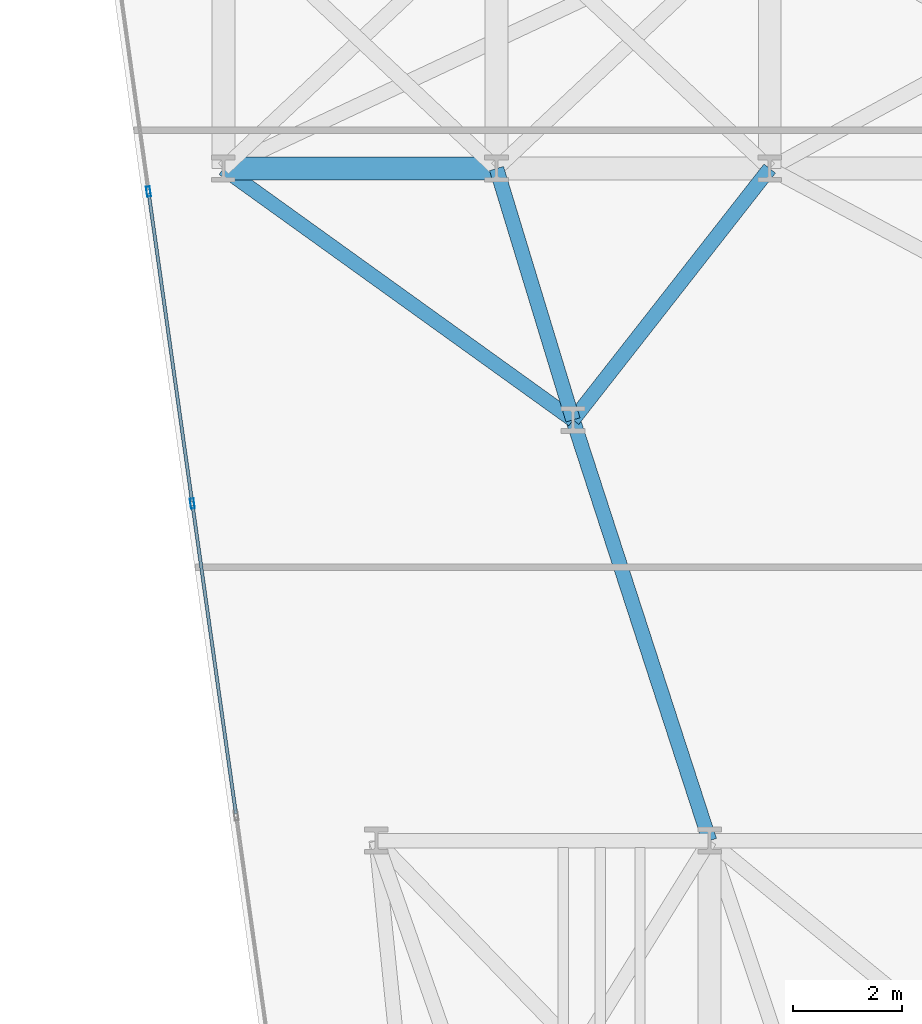
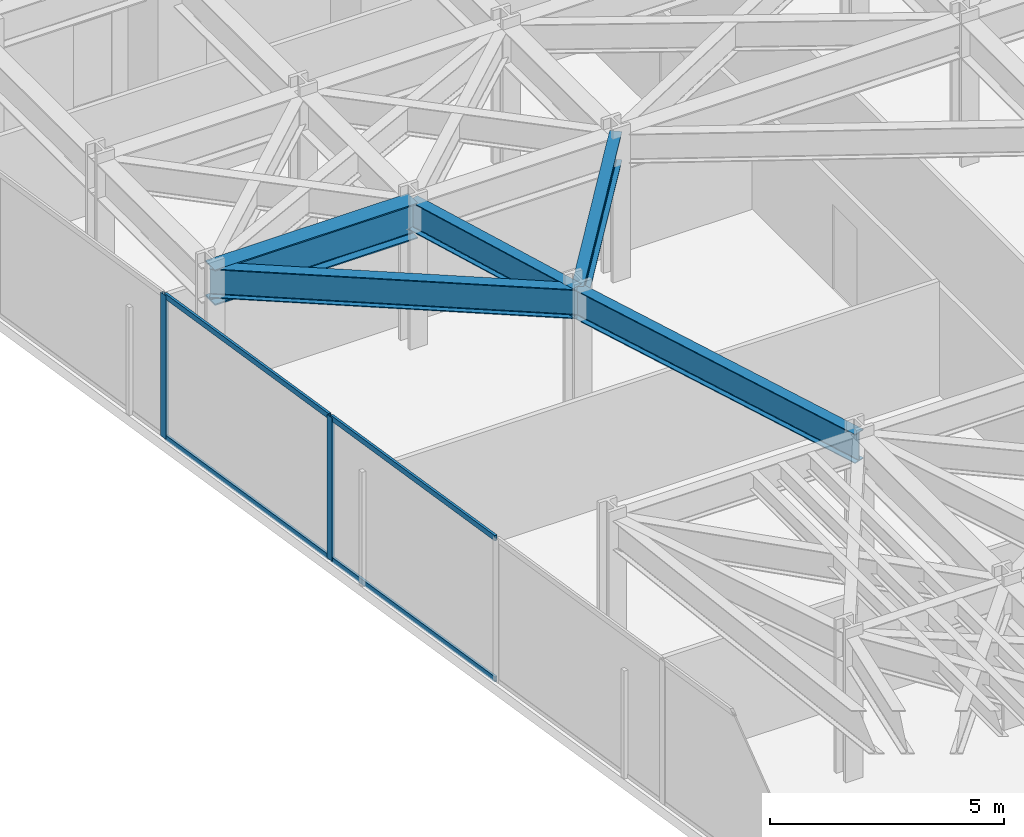
# One storey, part 7 of 24: 6 members, 5 beams, 1 element without a shape of its own.
"""IFC4 building model written with IfcOpenShell, lengths in metres."""

import ifcopenshell
import ifcopenshell.guid

model = None  # the IFC model being written
_history = None  # IfcOwnerHistory: only IFC2X3 demands one
_inside = {}  # id of a spatial element -> (the spatial element, [elements in it])
_under = {}  # id of a project, library or spatial element -> (it, [spatial elements below it])
_declared = {}  # id of a project -> (the project, [libraries it declares])
_typed = {}  # id of a type object -> (the type object, [elements of that type])
_made_of = {}  # id of a material, layer set ... -> (it, [elements and type objects made of it])


def new_model(schema):
    """Start an empty IFC model of exactly this schema.

    Asked for "IFC4X3", IfcOpenShell would pick the latest addendum, in which some entities
    have other attributes; the version numbers below select the first issue.
    IFC2X3 requires an IfcOwnerHistory on every rooted entity: one is made here for all.
    """
    global model, _history
    if schema == "IFC4X3":
        model = ifcopenshell.file(schema_version=(4, 3, 0, 0))
    else:
        model = ifcopenshell.file(schema=schema)
    _inside.clear()
    _under.clear()
    _declared.clear()
    _typed.clear()
    _made_of.clear()
    _history = None
    if model.schema == "IFC2X3":
        org = make("IfcOrganization", Name="unknown")
        user = make(
            "IfcPersonAndOrganization",
            ThePerson=make("IfcPerson", FamilyName="unknown"),
            TheOrganization=org,
        )
        app = make(
            "IfcApplication",
            ApplicationDeveloper=org,
            Version="unknown",
            ApplicationFullName="unknown",
            ApplicationIdentifier="unknown",
        )
        _history = make(
            "IfcOwnerHistory",
            OwningUser=user,
            OwningApplication=app,
            ChangeAction="ADDED",
            CreationDate=0,
        )
    return model


def make(cls, **values):
    """One entity of the class cls with the attributes given. An attribute that is None is left unset."""
    return model.create_entity(
        cls, **{name: value for name, value in values.items() if value is not None}
    )


def rooted(cls, **values):
    """An entity with a GlobalId (a new one), such as an element, a storey or a relation."""
    return make(cls, GlobalId=ifcopenshell.guid.new(), OwnerHistory=_history, **values)


def si_unit(unit_type, name, prefix=None):
    """IfcSIUnit, for example si_unit("LENGTHUNIT", "METRE", prefix="MILLI")."""
    return make("IfcSIUnit", UnitType=unit_type, Prefix=prefix, Name=name)


def assignment(units):
    """IfcUnitAssignment: the units of a project."""
    return None if units is None else make("IfcUnitAssignment", Units=units)


def point(xyz):
    """IfcCartesianPoint."""
    return None if xyz is None else make("IfcCartesianPoint", Coordinates=xyz)


def direction(xyz):
    """IfcDirection."""
    return None if xyz is None else make("IfcDirection", DirectionRatios=xyz)


def frame(location, z_axis=None, x_axis=None):
    """IfcAxis2Placement3D, a coordinate frame: its origin and axes. An axis left out is left unset."""
    return make(
        "IfcAxis2Placement3D",
        Location=point(location),
        Axis=direction(z_axis),
        RefDirection=direction(x_axis),
    )


def frame_2d(location, x_axis=None):
    """IfcAxis2Placement2D, a coordinate frame in the plane: its origin and x axis."""
    return make(
        "IfcAxis2Placement2D", Location=point(location), RefDirection=direction(x_axis)
    )


def origin():
    """The frame at (0, 0, 0) with its axes left unset."""
    return frame((0.0, 0.0, 0.0))


def origin_2d():
    """The frame at (0, 0) in the plane with its x axis left unset."""
    return frame_2d((0.0, 0.0))


def place(relative_to, where):
    """IfcLocalPlacement: puts the frame where relative to a parent placement (None: the world)."""
    return make(
        "IfcLocalPlacement", PlacementRelTo=relative_to, RelativePlacement=where
    )


def context(
    kind, dimensions, precision=None, world=None, true_north=None, identifier=None
):
    """IfcGeometricRepresentationContext, for example the 3D "Model" context."""
    return make(
        "IfcGeometricRepresentationContext",
        ContextIdentifier=identifier,
        ContextType=kind,
        CoordinateSpaceDimension=dimensions,
        Precision=precision,
        WorldCoordinateSystem=world,
        TrueNorth=true_north,
    )


def subcontext(parent, identifier, kind, view, scale=None):
    """IfcGeometricRepresentationSubContext, for example "Body" below "Model"."""
    return make(
        "IfcGeometricRepresentationSubContext",
        ContextIdentifier=identifier,
        ContextType=kind,
        ParentContext=parent,
        TargetScale=scale,
        TargetView=view,
    )


def project(units=None, contexts=None):
    """IfcProject with its units and contexts."""
    return rooted(
        "IfcProject",
        Name="project",
        RepresentationContexts=contexts,
        UnitsInContext=assignment(units),
    )


def spatial(cls, under=None, at=None, **own):
    """A site, building, storey or space (cls), placed at a placement, below another one or the project."""
    s = rooted(cls, ObjectPlacement=at, **own)
    if under is not None:
        _under.setdefault(under.id(), (under, []))[1].append(s)
    return s


def profile(cls, at=None, kind="AREA", **sizes):
    """A parametric profile (cls). Its sizes go by their IFC names, for example OverallWidth=200.0."""
    return make(cls, ProfileType=kind, Position=at, **sizes)


def hollow_rectangle(**sizes):
    """IfcRectangleHollowProfileDef."""
    return profile("IfcRectangleHollowProfileDef", **sizes)


def i_section(**sizes):
    """IfcIShapeProfileDef."""
    return profile("IfcIShapeProfileDef", **sizes)


def extrude(swept, where, along, depth):
    """IfcExtrudedAreaSolid: the profile swept, set in the frame where, extruded along a direction by depth."""
    return make(
        "IfcExtrudedAreaSolid",
        SweptArea=swept,
        Position=where,
        ExtrudedDirection=direction(along),
        Depth=depth,
    )


def shape(context_of_items, identifier, shape_type, items):
    """IfcShapeRepresentation: the items that make up one representation, for example the "Body"."""
    return make(
        "IfcShapeRepresentation",
        ContextOfItems=context_of_items,
        RepresentationIdentifier=identifier,
        RepresentationType=shape_type,
        Items=items,
    )


def material(Name=None, Category=None):
    """IfcMaterial."""
    return make("IfcMaterial", Name=Name, Category=Category)


def layer(
    of_material, thickness, ventilated=None, Name=None, Category=None, Priority=None
):
    """IfcMaterialLayer: one layer of a wall or slab, of a material (None: an air gap)."""
    return make(
        "IfcMaterialLayer",
        Material=of_material,
        LayerThickness=thickness,
        IsVentilated=ventilated,
        Name=Name,
        Category=Category,
        Priority=Priority,
    )


def layer_set(layers, Name=None):
    """IfcMaterialLayerSet."""
    return make("IfcMaterialLayerSet", MaterialLayers=layers, LayerSetName=Name)


def material_profile(
    of_material, cross_section, Name=None, Category=None, Priority=None
):
    """IfcMaterialProfile: a cross section and its material."""
    return make(
        "IfcMaterialProfile",
        Name=Name,
        Material=of_material,
        Profile=cross_section,
        Priority=Priority,
        Category=Category,
    )


def profile_set(profiles, Name=None, composite=None):
    """IfcMaterialProfileSet."""
    return make(
        "IfcMaterialProfileSet",
        Name=Name,
        MaterialProfiles=profiles,
        CompositeProfile=composite,
    )


def made_of(thing, what):
    """Note that an element or type object is made of a material, layer set ...; save() writes the relation."""
    if what is not None:
        _made_of.setdefault(what.id(), (what, []))[1].append(thing)
    return thing


def type_object(cls, material=None, **own):
    """A type object (cls), such as IfcWallType, which elements share."""
    return made_of(rooted(cls, **own), material)


def element(
    cls,
    number,
    at=None,
    inside=None,
    cuts=None,
    type_object=None,
    material=None,
    context=None,
    identifier="Body",
    shape_type=None,
    held_by="IfcProductDefinitionShape",
    body=None,
    shapes=None,
    **own,
):
    """One element of the class cls, such as IfcWall. Its Tag is "e" and its number.

    at: its placement. inside: the storey or other place that contains it. cuts: it is an
    opening in that element (IfcRelVoidsElement). A single representation is given by context,
    identifier, shape_type and body (its items); several are given by shapes. held_by: the class
    of the entity that holds the representations. save() writes the other relations.
    """
    e = rooted(cls, Tag="e%d" % number, ObjectPlacement=at, **own)
    if body is not None:
        shapes = [shape(context, identifier, shape_type, body)]
    if shapes is not None:
        e.Representation = make(held_by, Representations=shapes)
    if inside is not None:
        _inside.setdefault(inside.id(), (inside, []))[1].append(e)
    if cuts is not None:
        rooted(
            "IfcRelVoidsElement", RelatingBuildingElement=cuts, RelatedOpeningElement=e
        )
    if type_object is not None:
        _typed.setdefault(type_object.id(), (type_object, []))[1].append(e)
    return made_of(e, material)


def aggregate(whole, parts):
    """IfcRelAggregates: a whole, such as a stair, and the parts it consists of."""
    return rooted("IfcRelAggregates", RelatingObject=whole, RelatedObjects=parts)


def save(model, path):
    """Write the relations noted so far, then the file.

    IfcRelAggregates (storeys below a building ...), IfcRelContainedInSpatialStructure (elements
    in a storey), IfcRelDefinesByType, IfcRelAssociatesMaterial and IfcRelDeclares: one each for
    every whole, place, type object, material and project.
    """
    for whole, parts in _under.values():
        aggregate(whole, parts)
    for where, things in _inside.values():
        rooted(
            "IfcRelContainedInSpatialStructure",
            RelatedElements=things,
            RelatingStructure=where,
        )
    for kind, things in _typed.values():
        rooted("IfcRelDefinesByType", RelatedObjects=things, RelatingType=kind)
    for what, things in _made_of.values():
        rooted("IfcRelAssociatesMaterial", RelatedObjects=things, RelatingMaterial=what)
    for by, libraries in _declared.values():
        rooted("IfcRelDeclares", RelatingContext=by, RelatedDefinitions=libraries)
    model.write(path)


model = new_model("IFC4")

# Units and contexts
model_context = context("Model", 3, precision=1e-05, world=origin(), true_north=direction((0.0, 1.0)))
body_context = subcontext(model_context, "Body", "Model", "MODEL_VIEW")
ifc_project = project(units=[si_unit("LENGTHUNIT", "METRE"), si_unit("AREAUNIT", "SQUARE_METRE"), si_unit("VOLUMEUNIT", "CUBIC_METRE"), si_unit("PLANEANGLEUNIT", "RADIAN"), si_unit("MASSUNIT", "GRAM", prefix="KILO")], contexts=[model_context])

# Site, building, storey
site_placement = place(None, origin())
site = spatial("IfcSite", under=ifc_project, at=site_placement, CompositionType="ELEMENT")
building_placement = place(site_placement, origin())
building = spatial("IfcBuilding", under=site, at=building_placement, Name="Kravanh Interchange Tower", CompositionType="ELEMENT")
storey_placement = place(building_placement, frame((0.0, 0.0, 77.5)))
storey = spatial("IfcBuildingStorey", under=building, at=storey_placement, Name="L18", CompositionType="ELEMENT", Elevation=77.5)

# Curtain wall, members
ifc_material_1 = material(Name="Anodised Bronze Aluminium", Category="aluminium")
ifc_layer = layer(ifc_material_1, 0.179931640625)
ifc_layer_set = layer_set([ifc_layer], Name="Unitised Curtain Wall System CW-Z1 Lower Office")
curtain_wall_type = type_object("IfcCurtainWallType", Name="Unitised Curtain Wall System CW-Z1 Lower Office", PredefinedType="NOTDEFINED", material=ifc_layer_set)
curtain_wall_placement = place(storey_placement, origin())
curtain_wall = element("IfcCurtainWall", 1, at=curtain_wall_placement, inside=storey, type_object=curtain_wall_type, Name="L18 Unitised Curtain Wall CW-L18-01", PredefinedType="NOTDEFINED")
ifc_material_2 = material(Name="Anodised Bronze Aluminium", Category="aluminium")
ifc_material_profile_1 = material_profile(ifc_material_2, hollow_rectangle(XDim=0.070068359375, YDim=0.179931640625, WallThickness=0.00390625, at=origin_2d()), Name="ALU70X180X4")
ifc_profile_set_1 = profile_set([ifc_material_profile_1], Name="Anodised Bronze Aluminium")
member_type_1 = type_object("IfcMemberType", Name="Curtain Wall Mullion ALU70X180X4 Bronze", PredefinedType="MULLION", material=ifc_profile_set_1)
member_1_placement = place(storey_placement, frame((8.03271484375, 20.66845703125, 0.0), z_axis=(0.0, 0.0, 1.0), x_axis=(-0.990267585682, -0.139176538065, 0.0)))
member_1 = element("IfcMember", 2, at=member_1_placement, type_object=member_type_1, Name="CW-Z1 mullion 4", PredefinedType="MULLION", context=body_context, shape_type="SweptSolid", body=[
    extrude(hollow_rectangle(XDim=0.070068359375, YDim=0.179931640625, WallThickness=0.00390625, at=origin_2d()), origin(), (0.0, 0.0, 1.0), 3.739990234375),
])
member_2_placement = place(storey_placement, frame((7.22998046875, 26.37890625, 0.0), z_axis=(0.0, 0.0, 1.0), x_axis=(-0.990267585682, -0.139176538065, 0.0)))
member_2 = element("IfcMember", 3, at=member_2_placement, type_object=member_type_1, Name="CW-Z1 mullion 5", PredefinedType="MULLION", context=body_context, shape_type="SweptSolid", body=[
    extrude(hollow_rectangle(XDim=0.070068359375, YDim=0.179931640625, WallThickness=0.00390625, at=origin_2d()), origin(), (0.0, 0.0, 1.0), 3.739990234375),
])
ifc_material_3 = material(Name="Anodised Bronze Aluminium", Category="aluminium")
ifc_material_profile_2 = material_profile(ifc_material_3, hollow_rectangle(XDim=0.06005859375, YDim=0.139892578125, WallThickness=0.00390625, at=origin_2d()), Name="ALU60X140X4")
ifc_profile_set_2 = profile_set([ifc_material_profile_2], Name="Anodised Bronze Aluminium")
member_type_2 = type_object("IfcMemberType", Name="Curtain Wall Transom ALU60X140X4 Bronze", PredefinedType="USERDEFINED", material=ifc_profile_set_2)
member_3_placement = place(storey_placement, frame((8.830322265625, 14.992431640625, 0.030029296875), z_axis=(-0.139153051789, 0.990270886262, 0.0), x_axis=(-0.990270886262, -0.139153051789, 0.0)))
member_3 = element("IfcMember", 4, at=member_3_placement, type_object=member_type_2, Name="CW-Z1 transom 3.1", ObjectType="TRANSOM", PredefinedType="USERDEFINED", context=body_context, shape_type="SweptSolid", body=[
    extrude(hollow_rectangle(XDim=0.06005859375, YDim=0.139892578125, WallThickness=0.00390625, at=origin_2d()), origin(), (0.0, 0.0, 1.0), 5.69677734375),
])
member_4_placement = place(storey_placement, frame((8.830322265625, 14.992431640625, 3.7099609375), z_axis=(-0.139153051789, 0.990270886262, 0.0), x_axis=(-0.990270886262, -0.139153051789, 0.0)))
member_4 = element("IfcMember", 5, at=member_4_placement, type_object=member_type_2, Name="CW-Z1 transom 3.2", ObjectType="TRANSOM", PredefinedType="USERDEFINED", context=body_context, shape_type="SweptSolid", body=[
    extrude(hollow_rectangle(XDim=0.06005859375, YDim=0.139892578125, WallThickness=0.00390625, at=origin_2d()), origin(), (0.0, 0.0, 1.0), 5.69677734375),
])
member_5_placement = place(storey_placement, frame((8.02783203125, 20.703125, 0.030029296875), z_axis=(-0.139200984921, 0.990264149506, 0.0), x_axis=(-0.990264149506, -0.139200984921, 0.0)))
member_5 = element("IfcMember", 6, at=member_5_placement, type_object=member_type_2, Name="CW-Z1 transom 4.1", ObjectType="TRANSOM", PredefinedType="USERDEFINED", context=body_context, shape_type="SweptSolid", body=[
    extrude(hollow_rectangle(XDim=0.06005859375, YDim=0.139892578125, WallThickness=0.00390625, at=origin_2d()), origin(), (0.0, 0.0, 1.0), 5.696533203125),
])
member_6_placement = place(storey_placement, frame((8.02783203125, 20.703125, 3.7099609375), z_axis=(-0.139200984921, 0.990264149506, 0.0), x_axis=(-0.990264149506, -0.139200984921, 0.0)))
member_6 = element("IfcMember", 7, at=member_6_placement, type_object=member_type_2, Name="CW-Z1 transom 4.2", ObjectType="TRANSOM", PredefinedType="USERDEFINED", context=body_context, shape_type="SweptSolid", body=[
    extrude(hollow_rectangle(XDim=0.06005859375, YDim=0.139892578125, WallThickness=0.00390625, at=origin_2d()), origin(), (0.0, 0.0, 1.0), 5.696533203125),
])
aggregate(curtain_wall, [member_1, member_2, member_3, member_4, member_5, member_6])

# Beams
ifc_material_4 = material(Name="Structural Steel S355", Category="steel")
ifc_material_profile_3 = material_profile(ifc_material_4, i_section(OverallWidth=0.41796875, OverallDepth=0.927001953125, WebThickness=0.019287109375, FlangeThickness=0.031982421875, FilletRadius=0.028076171875, at=origin_2d()), Name="W36X231")
ifc_profile_set_3 = profile_set([ifc_material_profile_3], Name="Structural Steel S355")
beam_type_1 = type_object("IfcBeamType", Name="Floor Beam W36X231 Structural Steel S355", PredefinedType="BEAM", material=ifc_profile_set_3)
beam_1_placement = place(storey_placement, frame((8.60009765625, 26.800048828125, 3.276611328125), z_axis=(1.0, 0.0, 0.0), x_axis=(0.0, 1.0, 0.0)))
element("IfcBeam", 8, at=beam_1_placement, inside=storey, type_object=beam_type_1, Name="L18 Primary Floor Girder 67", PredefinedType="BEAM", context=body_context, shape_type="SweptSolid", body=[
    extrude(i_section(OverallWidth=0.41796875, OverallDepth=0.927001953125, WebThickness=0.019287109375, FlangeThickness=0.031982421875, FilletRadius=0.028076171875, at=origin_2d()), origin(), (0.0, 0.0, 1.0), 5.0),
])
ifc_material_5 = material(Name="Structural Steel S355", Category="steel")
ifc_material_profile_4 = material_profile(ifc_material_5, i_section(OverallWidth=0.26708984375, OverallDepth=0.761962890625, WebThickness=0.014404296875, FlangeThickness=0.021484375, FilletRadius=0.02490234375, at=origin_2d()), Name="W30X116")
ifc_profile_set_4 = profile_set([ifc_material_profile_4], Name="Structural Steel S355")
beam_type_2 = type_object("IfcBeamType", Name="Floor Spandrel W30X116 Structural Steel S355", PredefinedType="SPANDREL", material=ifc_profile_set_4)
beam_2_placement = place(storey_placement, frame((15.0, 22.199951171875, 3.35888671875), z_axis=(-0.291137370727, 0.956681259023, 0.0), x_axis=(-0.956681259023, -0.291137370727, 0.0)))
element("IfcBeam", 9, at=beam_2_placement, inside=storey, type_object=beam_type_2, Name="L18 Perimeter Spandrel 50", PredefinedType="SPANDREL", context=body_context, shape_type="SweptSolid", body=[
    extrude(i_section(OverallWidth=0.26708984375, OverallDepth=0.761962890625, WebThickness=0.014404296875, FlangeThickness=0.021484375, FilletRadius=0.02490234375, at=origin_2d()), origin(), (0.0, 0.0, 1.0), 4.808349609375),
])
beam_3_placement = place(storey_placement, frame((15.0, 22.199951171875, 3.35888671875), z_axis=(0.616310515553, 0.787503237085, 0.0), x_axis=(-0.787503237085, 0.616310515553, 0.0)))
element("IfcBeam", 10, at=beam_3_placement, inside=storey, type_object=beam_type_2, Name="L18 Perimeter Spandrel 51", PredefinedType="SPANDREL", context=body_context, shape_type="SweptSolid", body=[
    extrude(i_section(OverallWidth=0.26708984375, OverallDepth=0.761962890625, WebThickness=0.014404296875, FlangeThickness=0.021484375, FilletRadius=0.02490234375, at=origin_2d()), origin(), (0.0, 0.0, 1.0), 5.84130859375),
])
beam_4_placement = place(storey_placement, frame((15.0, 22.199951171875, 3.35888671875), z_axis=(-0.812005278585, 0.583650089994, 0.0), x_axis=(-0.583650089994, -0.812005278585, 0.0)))
element("IfcBeam", 11, at=beam_4_placement, inside=storey, type_object=beam_type_2, Name="L18 Perimeter Spandrel 52", PredefinedType="SPANDREL", context=body_context, shape_type="SweptSolid", body=[
    extrude(i_section(OverallWidth=0.26708984375, OverallDepth=0.761962890625, WebThickness=0.014404296875, FlangeThickness=0.021484375, FilletRadius=0.02490234375, at=origin_2d()), origin(), (0.0, 0.0, 1.0), 7.881591796875),
])
beam_5_placement = place(storey_placement, frame((15.0, 22.199951171875, 3.35888671875), z_axis=(0.30880852537, -0.951124226723, 0.0), x_axis=(0.951124226723, 0.30880852537, 0.0)))
element("IfcBeam", 12, at=beam_5_placement, inside=storey, type_object=beam_type_2, Name="L18 Perimeter Spandrel 53", PredefinedType="SPANDREL", context=body_context, shape_type="SweptSolid", body=[
    extrude(i_section(OverallWidth=0.26708984375, OverallDepth=0.761962890625, WebThickness=0.014404296875, FlangeThickness=0.021484375, FilletRadius=0.02490234375, at=origin_2d()), origin(), (0.0, 0.0, 1.0), 8.095703125),
])

save(model, "model.ifc")
